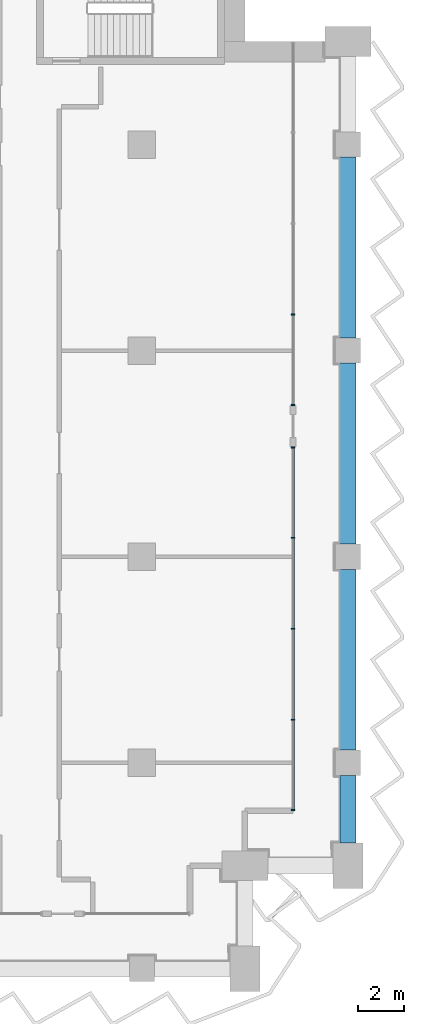
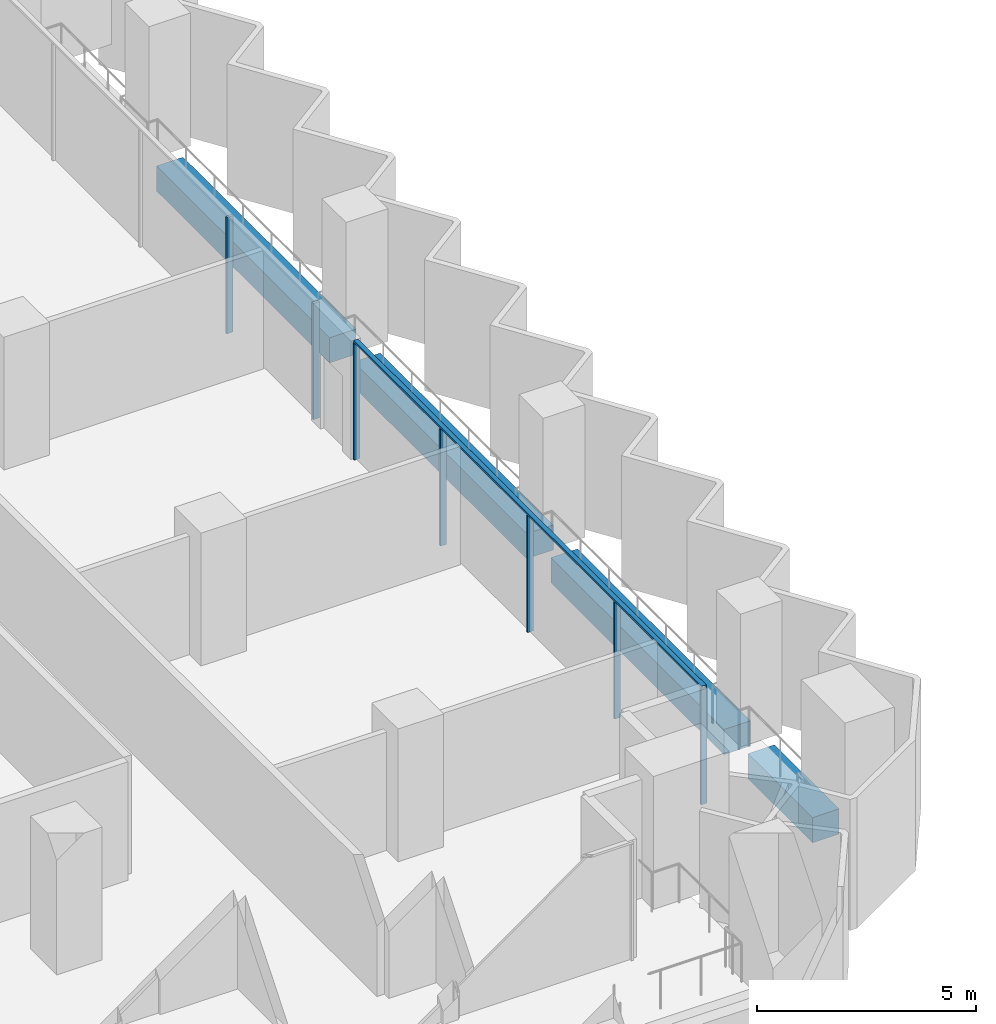
# One storey, part 6 of 23: 8 members, 4 beams, 2 elements without a shape of their own.
"""IFC4 building model written with IfcOpenShell, lengths in metres."""

from ifc_helpers import new_model, si_unit, direction, frame, origin, origin_2d, place, context, subcontext, project, spatial, rectangle, extrude, material, material_profile, profile_set, type_object, element, aggregate, save


model = new_model("IFC4")

# Units and contexts
model_context = context("Model", 3, precision=1e-05, world=origin(), true_north=direction((0.0, 1.0)))
body_context = subcontext(model_context, "Body", "Model", "MODEL_VIEW")
ifc_project = project(units=[si_unit("LENGTHUNIT", "METRE"), si_unit("AREAUNIT", "SQUARE_METRE"), si_unit("VOLUMEUNIT", "CUBIC_METRE"), si_unit("PLANEANGLEUNIT", "RADIAN"), si_unit("MASSUNIT", "GRAM", prefix="KILO")], contexts=[model_context])

# Site, building, storey
site_placement = place(None, origin())
site = spatial("IfcSite", under=ifc_project, at=site_placement, CompositionType="ELEMENT")
building_placement = place(site_placement, origin())
building = spatial("IfcBuilding", under=site, at=building_placement, Name="Hunhe Ridgeline Campus", CompositionType="ELEMENT")
storey_placement = place(building_placement, frame((0.0, 0.0, 170.800048828125)))
storey = spatial("IfcBuildingStorey", under=building, at=storey_placement, Name="L43", CompositionType="ELEMENT", Elevation=170.800048828125)

# Curtain wall, members
ifc_material_1 = material(Name="Aluminium 6063", Category="aluminium")
curtain_wall_type = type_object("IfcCurtainWallType", Name="Curtain wall CW-1", PredefinedType="NOTDEFINED", material=ifc_material_1)
curtain_wall_1_placement = place(storey_placement, origin())
curtain_wall_1 = element("IfcCurtainWall", 1, at=curtain_wall_1_placement, inside=storey, type_object=curtain_wall_type, Name="Curtain wall 14", PredefinedType="NOTDEFINED")
ifc_material_profile_1 = material_profile(ifc_material_1, rectangle(XDim=0.159912109375, YDim=0.06005859375, at=origin_2d()))
ifc_profile_set_1 = profile_set([ifc_material_profile_1], Name="Aluminium 6063")
member_type_1 = type_object("IfcMemberType", Name="CW-1 aluminium mullion", PredefinedType="MULLION", material=ifc_profile_set_1)
member_1_placement = place(storey_placement, frame((60.59912109375, 60.930908203125, 0.0), z_axis=(0.0, 0.0, 1.0), x_axis=(-1.0, 0.0, 0.0)))
member_1 = element("IfcMember", 2, at=member_1_placement, type_object=member_type_1, Name="CW-1 mullion 1", PredefinedType="MULLION", context=body_context, shape_type="SweptSolid", body=[
    extrude(rectangle(XDim=0.159912109375, YDim=0.06005859375, at=origin_2d()), origin(), (0.0, 0.0, 1.0), 3.239990234375),
])
member_2_placement = place(storey_placement, frame((60.59912109375, 64.8759765625, 0.0), z_axis=(0.0, 0.0, 1.0), x_axis=(-1.0, 0.0, 0.0)))
member_2 = element("IfcMember", 3, at=member_2_placement, type_object=member_type_1, Name="CW-1 mullion 2", PredefinedType="MULLION", context=body_context, shape_type="SweptSolid", body=[
    extrude(rectangle(XDim=0.159912109375, YDim=0.06005859375, at=origin_2d()), origin(), (0.0, 0.0, 1.0), 3.239990234375),
])
member_3_placement = place(storey_placement, frame((60.59912109375, 68.850830078125, 0.0), z_axis=(0.0, 0.0, 1.0), x_axis=(-1.0, 0.0, 0.0)))
member_3 = element("IfcMember", 4, at=member_3_placement, type_object=member_type_1, Name="CW-1 mullion 3", PredefinedType="MULLION", context=body_context, shape_type="SweptSolid", body=[
    extrude(rectangle(XDim=0.159912109375, YDim=0.06005859375, at=origin_2d()), origin(), (0.0, 0.0, 1.0), 3.239990234375),
])
member_4_placement = place(storey_placement, frame((60.59912109375, 72.82568359375, 0.0), z_axis=(0.0, 0.0, 1.0), x_axis=(-1.0, 0.0, 0.0)))
member_4 = element("IfcMember", 5, at=member_4_placement, type_object=member_type_1, Name="CW-1 mullion 4", PredefinedType="MULLION", context=body_context, shape_type="SweptSolid", body=[
    extrude(rectangle(XDim=0.159912109375, YDim=0.06005859375, at=origin_2d()), origin(), (0.0, 0.0, 1.0), 3.239990234375),
])
member_5_placement = place(storey_placement, frame((60.59912109375, 76.7705078125, 0.0), z_axis=(0.0, 0.0, 1.0), x_axis=(-1.0, 0.0, 0.0)))
member_5 = element("IfcMember", 6, at=member_5_placement, type_object=member_type_1, Name="CW-1 mullion 5", PredefinedType="MULLION", context=body_context, shape_type="SweptSolid", body=[
    extrude(rectangle(XDim=0.159912109375, YDim=0.06005859375, at=origin_2d()), origin(), (0.0, 0.0, 1.0), 3.239990234375),
])

curtain_wall_2_placement = place(storey_placement, origin())
curtain_wall_2 = element("IfcCurtainWall", 7, at=curtain_wall_2_placement, inside=storey, type_object=curtain_wall_type, Name="Curtain wall 15", PredefinedType="NOTDEFINED")
member_6_placement = place(storey_placement, frame((60.59912109375, 78.630615234375, 0.0), z_axis=(0.0, 0.0, 1.0), x_axis=(-1.0, 0.0, 0.0)))
member_6 = element("IfcMember", 8, at=member_6_placement, type_object=member_type_1, Name="CW-1 mullion 1", PredefinedType="MULLION", context=body_context, shape_type="SweptSolid", body=[
    extrude(rectangle(XDim=0.159912109375, YDim=0.06005859375, at=origin_2d()), origin(), (0.0, 0.0, 1.0), 3.239990234375),
])
member_7_placement = place(storey_placement, frame((60.59912109375, 82.575439453125, 0.0), z_axis=(0.0, 0.0, 1.0), x_axis=(-1.0, 0.0, 0.0)))
member_7 = element("IfcMember", 9, at=member_7_placement, type_object=member_type_1, Name="CW-1 mullion 2", PredefinedType="MULLION", context=body_context, shape_type="SweptSolid", body=[
    extrude(rectangle(XDim=0.159912109375, YDim=0.06005859375, at=origin_2d()), origin(), (0.0, 0.0, 1.0), 3.239990234375),
])
aggregate(curtain_wall_2, [member_6, member_7])

# Member
ifc_material_profile_2 = material_profile(ifc_material_1, rectangle(XDim=0.1201171875, YDim=0.06005859375, at=origin_2d()))
ifc_profile_set_2 = profile_set([ifc_material_profile_2], Name="Aluminium 6063")
member_type_2 = type_object("IfcMemberType", Name="CW-1 aluminium transom", PredefinedType="USERDEFINED", material=ifc_profile_set_2)
member_8_placement = place(storey_placement, frame((60.59912109375, 60.90087890625, 3.27001953125), z_axis=(0.0, 1.0, 0.0), x_axis=(-1.0, 0.0, 0.0)))
member_8 = element("IfcMember", 10, at=member_8_placement, type_object=member_type_2, Name="CW-1 transom 1", ObjectType="TRANSOM", PredefinedType="USERDEFINED", context=body_context, shape_type="SweptSolid", body=[
    extrude(rectangle(XDim=0.1201171875, YDim=0.06005859375, at=origin_2d()), origin(), (0.0, 0.0, 1.0), 15.899658203125),
])

aggregate(curtain_wall_1, [member_8, member_1, member_2, member_3, member_4, member_5])

# Beams
ifc_material_2 = material(Name="Concrete C60", Category="concrete")
ifc_material_profile_3 = material_profile(ifc_material_2, rectangle(XDim=0.699951171875, YDim=0.699951171875, at=origin_2d()))
ifc_profile_set_3 = profile_set([ifc_material_profile_3], Name="Concrete C60")
beam_type = type_object("IfcBeamType", Name="RC spandrel beam 700x700 Concrete C60", PredefinedType="SPANDREL", material=ifc_profile_set_3)
beam_placement = place(storey_placement, frame((63.0, 59.5, -0.60009765625), z_axis=(0.0, 1.0, 0.0), x_axis=(-1.0, 0.0, 0.0)))
element("IfcBeam", 11, at=beam_placement, inside=storey, type_object=beam_type, Name="Spandrel beam B2-16 L43", PredefinedType="SPANDREL", context=body_context, shape_type="SweptSolid", body=[
    extrude(rectangle(XDim=0.699951171875, YDim=0.699951171875, at=origin_2d()), origin(), (0.0, 0.0, 1.0), 2.949951171875),
])
for number, where, z_axis, x_axis, name in (
    (12, (63.0, 63.550048828125, -0.60009765625), (0.0, 1.0, 0.0), (-1.0, 0.0, 0.0), "Spandrel beam B2-17 L43"),
    (13, (63.0, 72.550048828125, -0.60009765625), (0.0, 1.0, 0.0), (-1.0, 0.0, 0.0), "Spandrel beam B2-18 L43"),
    (14, (63.0, 81.550048828125, -0.60009765625), (0.0, 1.0, 0.0), (-1.0, 0.0, 0.0), "Spandrel beam B2-19 L43"),
):
    element("IfcBeam", number, at=place(storey_placement, frame(where, z_axis=z_axis, x_axis=x_axis)), inside=storey, type_object=beam_type, Name=name, PredefinedType="SPANDREL", context=body_context, shape_type="SweptSolid", body=[
        extrude(rectangle(XDim=0.699951171875, YDim=0.699951171875, at=origin_2d()), origin(), (0.0, 0.0, 1.0), 7.89990234375),
    ])

save(model, "model.ifc")
